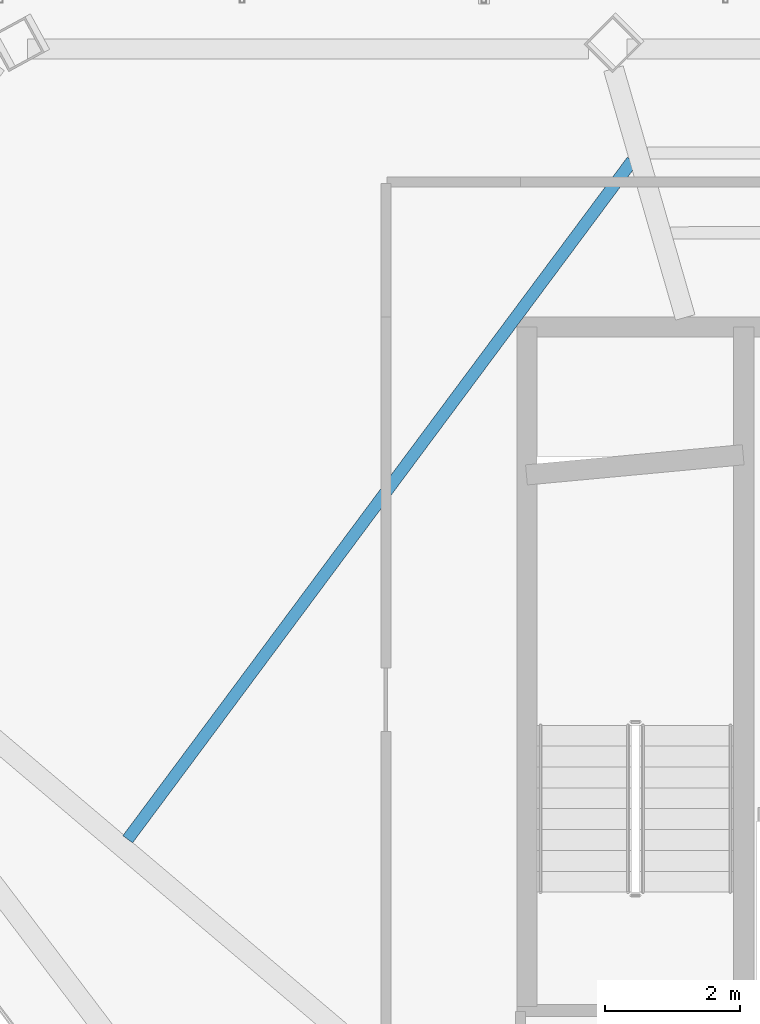
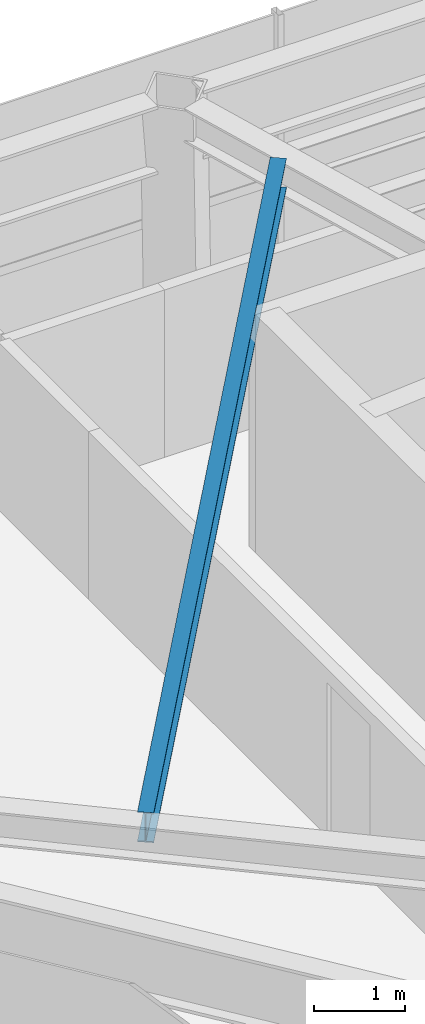
# One storey, part 11 of 27: 1 beam.
"""IFC4 building model written with IfcOpenShell, lengths in metres."""

import ifcopenshell
import ifcopenshell.guid

model = None  # the IFC model being written
_history = None  # IfcOwnerHistory: only IFC2X3 demands one
_inside = {}  # id of a spatial element -> (the spatial element, [elements in it])
_under = {}  # id of a project, library or spatial element -> (it, [spatial elements below it])
_declared = {}  # id of a project -> (the project, [libraries it declares])
_typed = {}  # id of a type object -> (the type object, [elements of that type])
_made_of = {}  # id of a material, layer set ... -> (it, [elements and type objects made of it])


def new_model(schema):
    """Start an empty IFC model of exactly this schema.

    Asked for "IFC4X3", IfcOpenShell would pick the latest addendum, in which some entities
    have other attributes; the version numbers below select the first issue.
    IFC2X3 requires an IfcOwnerHistory on every rooted entity: one is made here for all.
    """
    global model, _history
    if schema == "IFC4X3":
        model = ifcopenshell.file(schema_version=(4, 3, 0, 0))
    else:
        model = ifcopenshell.file(schema=schema)
    _inside.clear()
    _under.clear()
    _declared.clear()
    _typed.clear()
    _made_of.clear()
    _history = None
    if model.schema == "IFC2X3":
        org = make("IfcOrganization", Name="unknown")
        user = make(
            "IfcPersonAndOrganization",
            ThePerson=make("IfcPerson", FamilyName="unknown"),
            TheOrganization=org,
        )
        app = make(
            "IfcApplication",
            ApplicationDeveloper=org,
            Version="unknown",
            ApplicationFullName="unknown",
            ApplicationIdentifier="unknown",
        )
        _history = make(
            "IfcOwnerHistory",
            OwningUser=user,
            OwningApplication=app,
            ChangeAction="ADDED",
            CreationDate=0,
        )
    return model


def make(cls, **values):
    """One entity of the class cls with the attributes given. An attribute that is None is left unset."""
    return model.create_entity(
        cls, **{name: value for name, value in values.items() if value is not None}
    )


def rooted(cls, **values):
    """An entity with a GlobalId (a new one), such as an element, a storey or a relation."""
    return make(cls, GlobalId=ifcopenshell.guid.new(), OwnerHistory=_history, **values)


def si_unit(unit_type, name, prefix=None):
    """IfcSIUnit, for example si_unit("LENGTHUNIT", "METRE", prefix="MILLI")."""
    return make("IfcSIUnit", UnitType=unit_type, Prefix=prefix, Name=name)


def assignment(units):
    """IfcUnitAssignment: the units of a project."""
    return None if units is None else make("IfcUnitAssignment", Units=units)


def point(xyz):
    """IfcCartesianPoint."""
    return None if xyz is None else make("IfcCartesianPoint", Coordinates=xyz)


def direction(xyz):
    """IfcDirection."""
    return None if xyz is None else make("IfcDirection", DirectionRatios=xyz)


def frame(location, z_axis=None, x_axis=None):
    """IfcAxis2Placement3D, a coordinate frame: its origin and axes. An axis left out is left unset."""
    return make(
        "IfcAxis2Placement3D",
        Location=point(location),
        Axis=direction(z_axis),
        RefDirection=direction(x_axis),
    )


def frame_2d(location, x_axis=None):
    """IfcAxis2Placement2D, a coordinate frame in the plane: its origin and x axis."""
    return make(
        "IfcAxis2Placement2D", Location=point(location), RefDirection=direction(x_axis)
    )


def origin():
    """The frame at (0, 0, 0) with its axes left unset."""
    return frame((0.0, 0.0, 0.0))


def origin_2d():
    """The frame at (0, 0) in the plane with its x axis left unset."""
    return frame_2d((0.0, 0.0))


def place(relative_to, where):
    """IfcLocalPlacement: puts the frame where relative to a parent placement (None: the world)."""
    return make(
        "IfcLocalPlacement", PlacementRelTo=relative_to, RelativePlacement=where
    )


def context(
    kind, dimensions, precision=None, world=None, true_north=None, identifier=None
):
    """IfcGeometricRepresentationContext, for example the 3D "Model" context."""
    return make(
        "IfcGeometricRepresentationContext",
        ContextIdentifier=identifier,
        ContextType=kind,
        CoordinateSpaceDimension=dimensions,
        Precision=precision,
        WorldCoordinateSystem=world,
        TrueNorth=true_north,
    )


def subcontext(parent, identifier, kind, view, scale=None):
    """IfcGeometricRepresentationSubContext, for example "Body" below "Model"."""
    return make(
        "IfcGeometricRepresentationSubContext",
        ContextIdentifier=identifier,
        ContextType=kind,
        ParentContext=parent,
        TargetScale=scale,
        TargetView=view,
    )


def project(units=None, contexts=None):
    """IfcProject with its units and contexts."""
    return rooted(
        "IfcProject",
        Name="project",
        RepresentationContexts=contexts,
        UnitsInContext=assignment(units),
    )


def spatial(cls, under=None, at=None, **own):
    """A site, building, storey or space (cls), placed at a placement, below another one or the project."""
    s = rooted(cls, ObjectPlacement=at, **own)
    if under is not None:
        _under.setdefault(under.id(), (under, []))[1].append(s)
    return s


def profile(cls, at=None, kind="AREA", **sizes):
    """A parametric profile (cls). Its sizes go by their IFC names, for example OverallWidth=200.0."""
    return make(cls, ProfileType=kind, Position=at, **sizes)


def i_section(**sizes):
    """IfcIShapeProfileDef."""
    return profile("IfcIShapeProfileDef", **sizes)


def extrude(swept, where, along, depth):
    """IfcExtrudedAreaSolid: the profile swept, set in the frame where, extruded along a direction by depth."""
    return make(
        "IfcExtrudedAreaSolid",
        SweptArea=swept,
        Position=where,
        ExtrudedDirection=direction(along),
        Depth=depth,
    )


def shape(context_of_items, identifier, shape_type, items):
    """IfcShapeRepresentation: the items that make up one representation, for example the "Body"."""
    return make(
        "IfcShapeRepresentation",
        ContextOfItems=context_of_items,
        RepresentationIdentifier=identifier,
        RepresentationType=shape_type,
        Items=items,
    )


def material(Name=None, Category=None):
    """IfcMaterial."""
    return make("IfcMaterial", Name=Name, Category=Category)


def material_profile(
    of_material, cross_section, Name=None, Category=None, Priority=None
):
    """IfcMaterialProfile: a cross section and its material."""
    return make(
        "IfcMaterialProfile",
        Name=Name,
        Material=of_material,
        Profile=cross_section,
        Priority=Priority,
        Category=Category,
    )


def profile_set(profiles, Name=None, composite=None):
    """IfcMaterialProfileSet."""
    return make(
        "IfcMaterialProfileSet",
        Name=Name,
        MaterialProfiles=profiles,
        CompositeProfile=composite,
    )


def made_of(thing, what):
    """Note that an element or type object is made of a material, layer set ...; save() writes the relation."""
    if what is not None:
        _made_of.setdefault(what.id(), (what, []))[1].append(thing)
    return thing


def type_object(cls, material=None, **own):
    """A type object (cls), such as IfcWallType, which elements share."""
    return made_of(rooted(cls, **own), material)


def element(
    cls,
    number,
    at=None,
    inside=None,
    cuts=None,
    type_object=None,
    material=None,
    context=None,
    identifier="Body",
    shape_type=None,
    held_by="IfcProductDefinitionShape",
    body=None,
    shapes=None,
    **own,
):
    """One element of the class cls, such as IfcWall. Its Tag is "e" and its number.

    at: its placement. inside: the storey or other place that contains it. cuts: it is an
    opening in that element (IfcRelVoidsElement). A single representation is given by context,
    identifier, shape_type and body (its items); several are given by shapes. held_by: the class
    of the entity that holds the representations. save() writes the other relations.
    """
    e = rooted(cls, Tag="e%d" % number, ObjectPlacement=at, **own)
    if body is not None:
        shapes = [shape(context, identifier, shape_type, body)]
    if shapes is not None:
        e.Representation = make(held_by, Representations=shapes)
    if inside is not None:
        _inside.setdefault(inside.id(), (inside, []))[1].append(e)
    if cuts is not None:
        rooted(
            "IfcRelVoidsElement", RelatingBuildingElement=cuts, RelatedOpeningElement=e
        )
    if type_object is not None:
        _typed.setdefault(type_object.id(), (type_object, []))[1].append(e)
    return made_of(e, material)


def aggregate(whole, parts):
    """IfcRelAggregates: a whole, such as a stair, and the parts it consists of."""
    return rooted("IfcRelAggregates", RelatingObject=whole, RelatedObjects=parts)


def save(model, path):
    """Write the relations noted so far, then the file.

    IfcRelAggregates (storeys below a building ...), IfcRelContainedInSpatialStructure (elements
    in a storey), IfcRelDefinesByType, IfcRelAssociatesMaterial and IfcRelDeclares: one each for
    every whole, place, type object, material and project.
    """
    for whole, parts in _under.values():
        aggregate(whole, parts)
    for where, things in _inside.values():
        rooted(
            "IfcRelContainedInSpatialStructure",
            RelatedElements=things,
            RelatingStructure=where,
        )
    for kind, things in _typed.values():
        rooted("IfcRelDefinesByType", RelatedObjects=things, RelatingType=kind)
    for what, things in _made_of.values():
        rooted("IfcRelAssociatesMaterial", RelatedObjects=things, RelatingMaterial=what)
    for by, libraries in _declared.values():
        rooted("IfcRelDeclares", RelatingContext=by, RelatedDefinitions=libraries)
    model.write(path)


model = new_model("IFC4")

# Units and contexts
model_context = context("Model", 3, precision=1e-05, world=origin(), true_north=direction((0.0, 1.0)))
body_context = subcontext(model_context, "Body", "Model", "MODEL_VIEW")
ifc_project = project(units=[si_unit("LENGTHUNIT", "METRE"), si_unit("AREAUNIT", "SQUARE_METRE"), si_unit("VOLUMEUNIT", "CUBIC_METRE"), si_unit("PLANEANGLEUNIT", "RADIAN"), si_unit("MASSUNIT", "GRAM", prefix="KILO")], contexts=[model_context])

# Site, building, storey
site_placement = place(None, origin())
site = spatial("IfcSite", under=ifc_project, at=site_placement, CompositionType="ELEMENT")
building_placement = place(site_placement, origin())
building = spatial("IfcBuilding", under=site, at=building_placement, Name="Zarrinselat Tower", CompositionType="ELEMENT")
storey_placement = place(building_placement, frame((0.0, 0.0, 225.760009765625)))
storey = spatial("IfcBuildingStorey", under=building, at=storey_placement, Name="L56", CompositionType="ELEMENT", Elevation=225.760009765625)

# Beam
ifc_material = material(Name="Steel S355J2", Category="steel")
ifc_material_profile = material_profile(ifc_material, i_section(OverallWidth=0.179931640625, OverallDepth=0.39990234375, WebThickness=0.008544921875, FlangeThickness=0.013427734375, at=origin_2d()), Name="IPE 400")
ifc_profile_set = profile_set([ifc_material_profile], Name="Steel S355J2")
beam_type = type_object("IfcBeamType", Name="BM-IPE400", PredefinedType="JOIST", material=ifc_profile_set)
beam_placement = place(storey_placement, frame((22.714599609375, 35.7861328125, 2.97998046875), z_axis=(0.59672426262, 0.802446356089, 0.0), x_axis=(-0.802446356089, 0.59672426262, 0.0)))
element("IfcBeam", 1, at=beam_placement, inside=storey, type_object=beam_type, Name="L56 Composite Floor Joist 9-1", PredefinedType="JOIST", context=body_context, shape_type="SweptSolid", body=[
    extrude(i_section(OverallWidth=0.179931640625, OverallDepth=0.39990234375, WebThickness=0.008544921875, FlangeThickness=0.013427734375, at=origin_2d()), origin(), (0.0, 0.0, 1.0), 12.564208984375),
])

save(model, "model.ifc")
